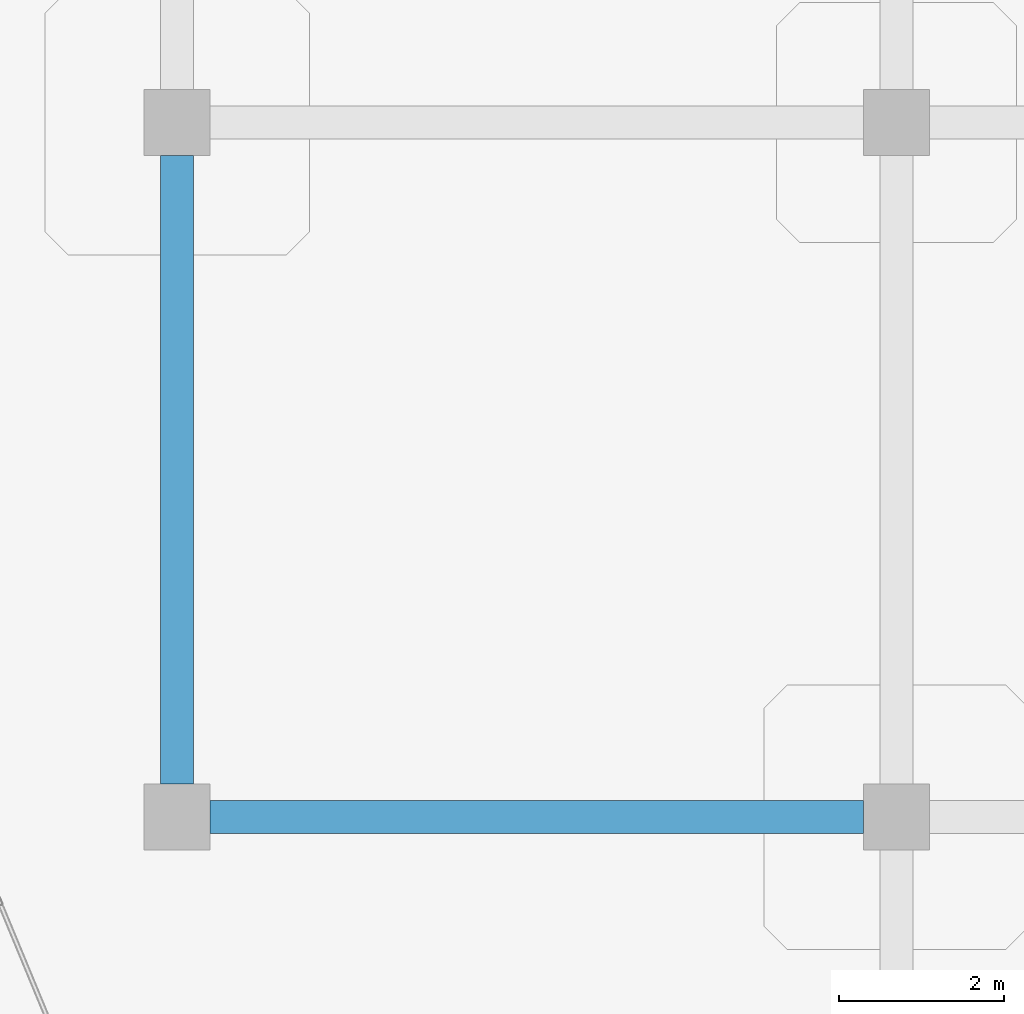
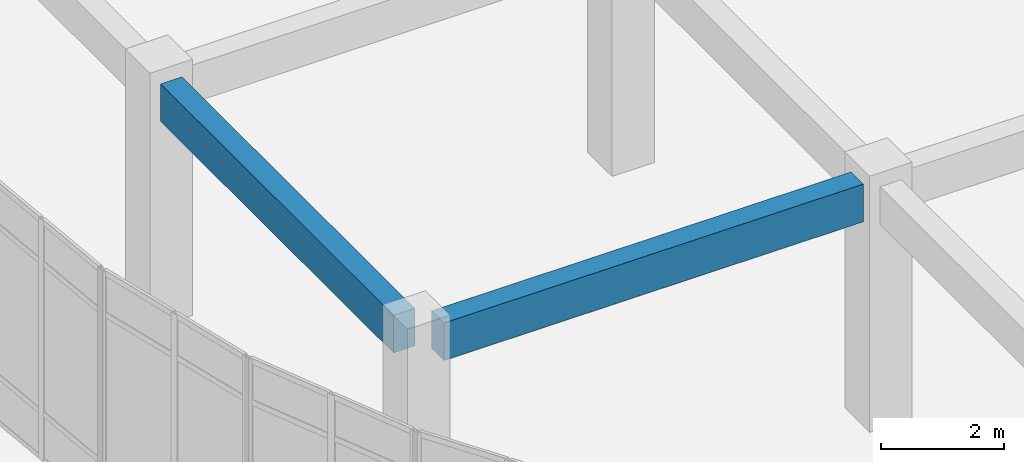
# One storey, part 7 of 124: 2 beams.
"""IFC4 building model written with IfcOpenShell, lengths in metres."""

from ifc_helpers import new_model, si_unit, derived_unit, direction, frame, origin, origin_2d, place, context, subcontext, project, spatial, rectangle, extrude, material, material_profile, profile_set, type_object, element, save


model = new_model("IFC4")

# Units and contexts
model_context = context("Model", 3, precision=1e-05, world=origin(), true_north=direction((0.0, 1.0)))
body_context = subcontext(model_context, "Body", "Model", "MODEL_VIEW")
ifc_project = project(units=[si_unit("LENGTHUNIT", "METRE"), si_unit("AREAUNIT", "SQUARE_METRE"), si_unit("VOLUMEUNIT", "CUBIC_METRE"), si_unit("PLANEANGLEUNIT", "RADIAN"), si_unit("MASSUNIT", "GRAM", prefix="KILO"), derived_unit("THERMALTRANSMITTANCEUNIT", [(si_unit("MASSUNIT", "GRAM", prefix="KILO"), 1), (si_unit("TIMEUNIT", "SECOND"), -3), (si_unit("THERMODYNAMICTEMPERATUREUNIT", "KELVIN"), -1)])], contexts=[model_context])

# Site, building, storey
site_placement = place(None, origin())
site = spatial("IfcSite", under=ifc_project, at=site_placement, CompositionType="ELEMENT")
building_placement = place(site_placement, origin())
building = spatial("IfcBuilding", under=site, at=building_placement, Name="Qinzheling Arcade Emporium", CompositionType="ELEMENT")
storey_placement = place(building_placement, frame((0.0, 0.0, 16.5)))
storey = spatial("IfcBuildingStorey", under=building, at=storey_placement, Name="L04", CompositionType="ELEMENT", Elevation=16.5)

# Beams
ifc_material = material(Name="Concrete C40", Category="concrete")
ifc_material_profile = material_profile(ifc_material, rectangle(XDim=0.39990234375, YDim=0.75, at=origin_2d()), Name="RC 400x750", Category="concrete")
ifc_profile_set = profile_set([ifc_material_profile], Name="Concrete C40")
beam_type = type_object("IfcBeamType", Name="RC Interior Tie Beam 400x750 C40", PredefinedType="BEAM", material=ifc_profile_set)
beam_1_placement = place(storey_placement, frame((9.10009765625, 16.800048828125, 4.445068359375), z_axis=(1.0, 0.0, 0.0), x_axis=(0.0, 1.0, 0.0)))
element("IfcBeam", 1, at=beam_1_placement, inside=storey, type_object=beam_type, Name="Beam BM-L04-X-C-2", PredefinedType="BEAM", context=body_context, shape_type="SweptSolid", body=[
    extrude(rectangle(XDim=0.39990234375, YDim=0.75, at=origin_2d()), origin(), (0.0, 0.0, 1.0), 7.89990234375),
])
beam_2_placement = place(storey_placement, frame((8.699951171875, 17.199951171875, 4.445068359375), z_axis=(0.0, 1.0, 0.0), x_axis=(-1.0, 0.0, 0.0)))
element("IfcBeam", 2, at=beam_2_placement, inside=storey, type_object=beam_type, Name="Beam BM-L04-Y-2-C", PredefinedType="BEAM", context=body_context, shape_type="SweptSolid", body=[
    extrude(rectangle(XDim=0.39990234375, YDim=0.75, at=origin_2d()), origin(), (0.0, 0.0, 1.0), 7.60009765625),
])

save(model, "model.ifc")
